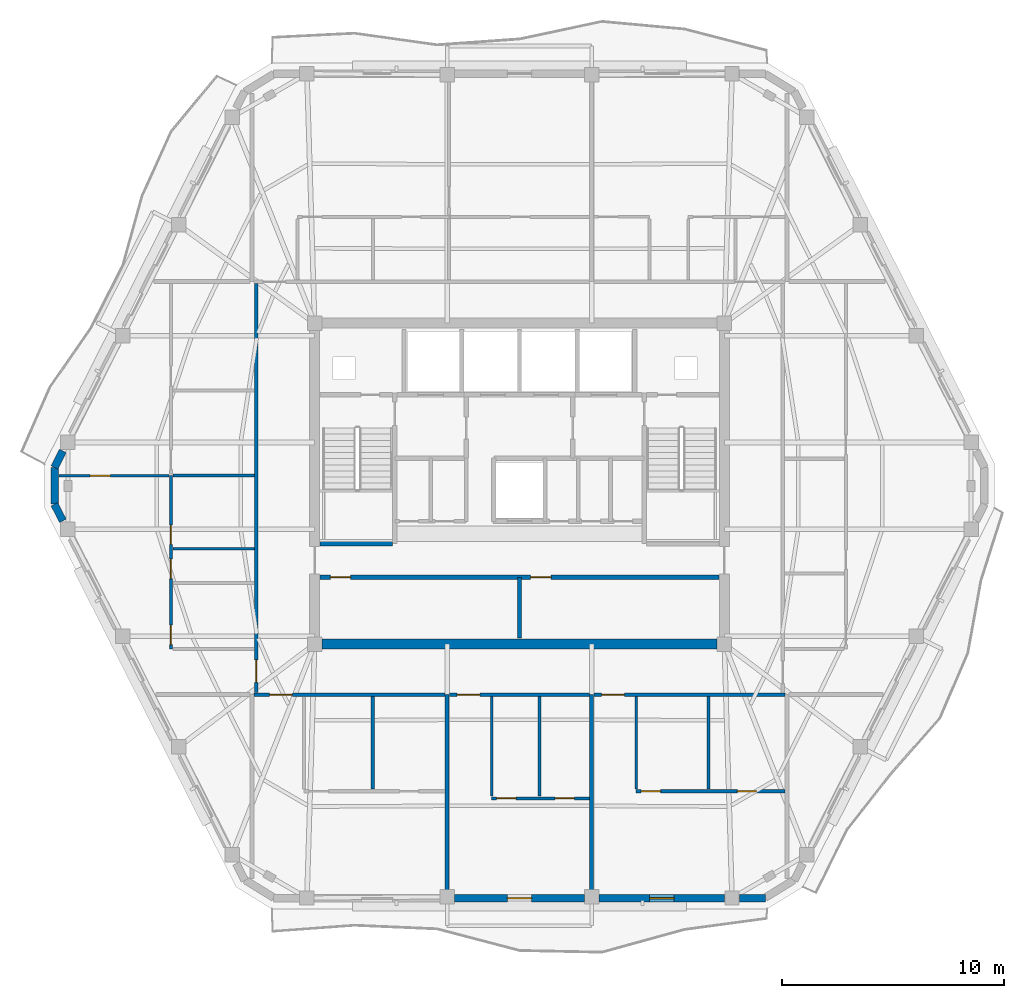
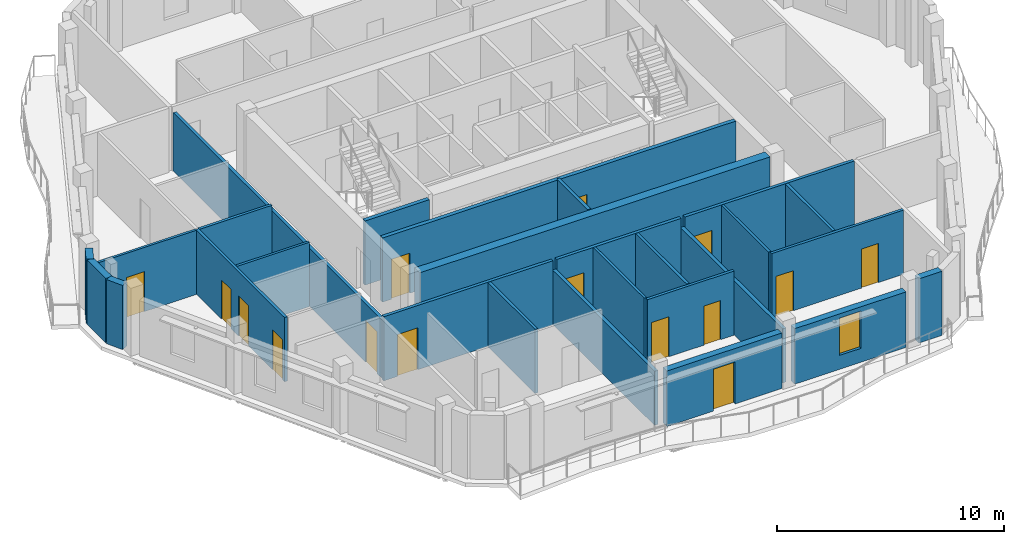
# One storey, part 4 of 12: 27 walls, 15 doors, 1 window, 16 openings.
"""IFC4 building model written with IfcOpenShell, lengths in metres."""

from ifc_helpers import new_model, si_unit, direction, frame, frame_2d, origin, place, context, subcontext, project, spatial, rectangle, extrude, material, layer, layer_set, type_object, element, fill, save


model = new_model("IFC4")

# Units and contexts
model_context = context("Model", 3, precision=1e-05, world=origin(), true_north=direction((0.0, 1.0)))
body_context = subcontext(model_context, "Body", "Model", "MODEL_VIEW")
ifc_project = project(units=[si_unit("LENGTHUNIT", "METRE"), si_unit("AREAUNIT", "SQUARE_METRE"), si_unit("VOLUMEUNIT", "CUBIC_METRE"), si_unit("PLANEANGLEUNIT", "RADIAN"), si_unit("MASSUNIT", "GRAM", prefix="KILO")], contexts=[model_context])

# Site, building, storey
site_placement = place(None, origin())
site = spatial("IfcSite", under=ifc_project, at=site_placement, CompositionType="ELEMENT")
building_placement = place(site_placement, origin())
building = spatial("IfcBuilding", under=site, at=building_placement, Name="Cinnabar Lancet Tower", CompositionType="ELEMENT")
storey_placement = place(building_placement, frame((0.0, 0.0, 270.800048828125)))
storey = spatial("IfcBuildingStorey", under=building, at=storey_placement, Name="L72", CompositionType="ELEMENT", Elevation=270.800048828125)

# Wall
ifc_material_1 = material(Name="Acoustic twin-stud gypsum partition", Category="gypsum")
ifc_layer_1 = layer(ifc_material_1, 0.159912109375)
ifc_layer_set_1 = layer_set([ifc_layer_1], Name="Acoustic twin-stud gypsum partition")
wall_type_1 = type_object("IfcWallType", Name="ARC-WL-CORR-160", PredefinedType="PARTITIONING", material=ifc_layer_set_1)
wall_1_placement = place(storey_placement, frame((32.39990234375, 18.949951171875, 0.0), z_axis=(0.0, 0.0, 1.0), x_axis=(0.0, 1.0, 0.0)))
element("IfcWall", 1, at=wall_1_placement, inside=storey, type_object=wall_type_1, Name="CW-SB-3240-L72", PredefinedType="PARTITIONING", context=body_context, shape_type="SweptSolid", body=[
    extrude(rectangle(XDim=2.72998046875, YDim=0.159912109375, at=frame_2d((1.364990234375, 0.0))), origin(), (0.0, 0.0, 1.0), 3.449951171875),
])

# Wall, opening, door
wall_2_placement = place(storey_placement, frame((20.445068359375, 16.39990234375, 0.0), z_axis=(0.0, 0.0, 1.0), x_axis=(1.0, 0.0, 0.0)))
wall_2 = element("IfcWall", 2, at=wall_2_placement, inside=storey, type_object=wall_type_1, Name="L72 Unit S01 Corridor Wall", PredefinedType="PARTITIONING", context=body_context, shape_type="SweptSolid", body=[
    extrude(rectangle(XDim=8.60595703125, YDim=0.159912109375, at=frame_2d((4.302978515625, 0.0))), origin(), (0.0, 0.0, 1.0), 3.449951171875),
])
opening_1_placement = place(wall_2_placement, frame((0.705078125, 0.0, 0.0)))
opening_1 = element("IfcOpeningElement", 3, at=opening_1_placement, cuts=wall_2, Name="Opening UD-01", PredefinedType="OPENING", context=body_context, shape_type="SweptSolid", body=[
    extrude(rectangle(XDim=1.02001953125, YDim=2.25, at=frame_2d((0.510009765625, 1.125))), frame((0.0, 0.08984375, 0.0), z_axis=(0.0, -1.0, 0.0), x_axis=(1.0, 0.0, 0.0)), (0.0, 0.0, 1.0), 0.179931640625),
])
ifc_material_2 = material(Name="Solid timber fire-rated apartment entrance door", Category="wood")
door_type_1 = type_object("IfcDoorType", Name="ARC-DR-UNIT", OperationType="NOTDEFINED", PredefinedType="DOOR", material=ifc_material_2)
door_1_placement = place(opening_1_placement, origin())
door_1 = element("IfcDoor", 4, at=door_1_placement, inside=storey, type_object=door_type_1, Name="DR-L72-S01-ENT", OperationType="SINGLE_SWING_RIGHT", OverallHeight=2.25, OverallWidth=1.02001953125, PredefinedType="DOOR", context=body_context, shape_type="SweptSolid", body=[
    extrude(rectangle(XDim=1.02001953125, YDim=2.25, at=frame_2d((0.510009765625, 1.125))), frame((0.0, 0.02490234375, 0.0), z_axis=(0.0, -1.0, 0.0), x_axis=(1.0, 0.0, 0.0)), (0.0, 0.0, 1.0), 0.050048828125),
])
fill(opening_1, door_1)

wall_3_placement = place(storey_placement, frame((29.240966796875, 16.39990234375, 0.0), z_axis=(0.0, 0.0, 1.0), x_axis=(1.0, 0.0, 0.0)))
wall_3 = element("IfcWall", 5, at=wall_3_placement, inside=storey, type_object=wall_type_1, Name="L72 Unit S02 Corridor Wall", PredefinedType="PARTITIONING", context=body_context, shape_type="SweptSolid", body=[
    extrude(rectangle(XDim=6.318115234375, YDim=0.159912109375, at=frame_2d((3.1591796875, 0.0))), origin(), (0.0, 0.0, 1.0), 3.449951171875),
])
opening_2_placement = place(wall_3_placement, frame((0.35498046875, 0.0, 0.0)))
opening_2 = element("IfcOpeningElement", 6, at=opening_2_placement, cuts=wall_3, Name="Opening UD-01", PredefinedType="OPENING", context=body_context, shape_type="SweptSolid", body=[
    extrude(rectangle(XDim=1.02001953125, YDim=2.25, at=frame_2d((0.510009765625, 1.125))), frame((0.0, 0.08984375, 0.0), z_axis=(0.0, -1.0, 0.0), x_axis=(1.0, 0.0, 0.0)), (0.0, 0.0, 1.0), 0.179931640625),
])
door_2_placement = place(opening_2_placement, origin())
door_2 = element("IfcDoor", 7, at=door_2_placement, inside=storey, type_object=door_type_1, Name="DR-L72-S02-ENT", OperationType="SINGLE_SWING_LEFT", OverallHeight=2.25, OverallWidth=1.02001953125, PredefinedType="DOOR", context=body_context, shape_type="SweptSolid", body=[
    extrude(rectangle(XDim=1.02001953125, YDim=2.25, at=frame_2d((0.510009765625, 1.125))), frame((0.0, 0.02490234375, 0.0), z_axis=(0.0, -1.0, 0.0), x_axis=(1.0, 0.0, 0.0)), (0.0, 0.0, 1.0), 0.050048828125),
])
fill(opening_2, door_2)

wall_4_placement = place(storey_placement, frame((35.7490234375, 16.39990234375, 0.0), z_axis=(0.0, 0.0, 1.0), x_axis=(1.0, 0.0, 0.0)))
wall_4 = element("IfcWall", 8, at=wall_4_placement, inside=storey, type_object=wall_type_1, Name="L72 Unit S03 Corridor Wall", PredefinedType="PARTITIONING", context=body_context, shape_type="SweptSolid", body=[
    extrude(rectangle(XDim=8.60595703125, YDim=0.159912109375, at=frame_2d((4.302978515625, 0.0))), origin(), (0.0, 0.0, 1.0), 3.449951171875),
])
opening_3_placement = place(wall_4_placement, frame((0.35498046875, 0.0, 0.0)))
opening_3 = element("IfcOpeningElement", 9, at=opening_3_placement, cuts=wall_4, Name="Opening UD-01", PredefinedType="OPENING", context=body_context, shape_type="SweptSolid", body=[
    extrude(rectangle(XDim=1.02001953125, YDim=2.25, at=frame_2d((0.510009765625, 1.125))), frame((0.0, 0.08984375, 0.0), z_axis=(0.0, -1.0, 0.0), x_axis=(1.0, 0.0, 0.0)), (0.0, 0.0, 1.0), 0.179931640625),
])
door_3_placement = place(opening_3_placement, origin())
door_3 = element("IfcDoor", 10, at=door_3_placement, inside=storey, type_object=door_type_1, Name="DR-L72-S03-ENT", OperationType="SINGLE_SWING_RIGHT", OverallHeight=2.25, OverallWidth=1.02001953125, PredefinedType="DOOR", context=body_context, shape_type="SweptSolid", body=[
    extrude(rectangle(XDim=1.02001953125, YDim=2.25, at=frame_2d((0.510009765625, 1.125))), frame((0.0, 0.02490234375, 0.0), z_axis=(0.0, -1.0, 0.0), x_axis=(1.0, 0.0, 0.0)), (0.0, 0.0, 1.0), 0.050048828125),
])
fill(opening_3, door_3)

wall_5_placement = place(storey_placement, frame((20.550048828125, 16.4951171875, 0.0), z_axis=(0.0, 0.0, 1.0), x_axis=(0.0, 1.0, 0.0)))
wall_5 = element("IfcWall", 11, at=wall_5_placement, inside=storey, type_object=wall_type_1, Name="UW-L72-W01-COR", PredefinedType="PARTITIONING", context=body_context, shape_type="SweptSolid", body=[
    extrude(rectangle(XDim=18.409912109375, YDim=0.159912109375, at=frame_2d((9.205078125, 0.0))), origin(), (0.0, 0.0, 1.0), 3.136962890625),
])
opening_4_placement = place(wall_5_placement, frame((0.449951171875, 0.0, 0.0)))
opening_4 = element("IfcOpeningElement", 12, at=opening_4_placement, cuts=wall_5, Name="Opening UD-01", PredefinedType="OPENING", context=body_context, shape_type="SweptSolid", body=[
    extrude(rectangle(XDim=1.02001953125, YDim=2.25, at=frame_2d((0.510009765625, 1.125))), frame((0.0, 0.08984375, 0.0), z_axis=(0.0, -1.0, 0.0), x_axis=(1.0, 0.0, 0.0)), (0.0, 0.0, 1.0), 0.179931640625),
])
door_4_placement = place(opening_4_placement, origin())
door_4 = element("IfcDoor", 13, at=door_4_placement, inside=storey, type_object=door_type_1, Name="DR-L72-W01-ENT", OperationType="SINGLE_SWING_RIGHT", OverallHeight=2.25, OverallWidth=1.02001953125, PredefinedType="DOOR", context=body_context, shape_type="SweptSolid", body=[
    extrude(rectangle(XDim=1.02001953125, YDim=2.25, at=frame_2d((0.510009765625, 1.125))), frame((0.0, 0.02490234375, 0.0), z_axis=(0.0, -1.0, 0.0), x_axis=(1.0, 0.0, 0.0)), (0.0, 0.0, 1.0), 0.050048828125),
])
fill(opening_4, door_4)

# Walls
ifc_material_3 = material(Name="Fire-rated twin-frame acoustic drywall", Category="gypsum")
ifc_layer_2 = layer(ifc_material_3, 0.179931640625)
ifc_layer_set_2 = layer_set([ifc_layer_2], Name="Fire-rated twin-frame acoustic drywall")
wall_type_2 = type_object("IfcWallType", Name="ARC-WL-PARTY-180", PredefinedType="PARTITIONING", material=ifc_layer_set_2)
for number, where, z_axis, x_axis, name in (
    (14, (29.14599609375, 7.405029296875, 0.0), (0.0, 0.0, 1.0), (0.0, 1.0, 0.0), "PW-L72-SPTY-291"),
    (15, (35.654052734375, 7.405029296875, 0.0), (0.0, 0.0, 1.0), (0.0, 1.0, 0.0), "PW-L72-SPTY-357"),
):
    element("IfcWall", number, at=place(storey_placement, frame(where, z_axis=z_axis, x_axis=x_axis)), inside=storey, type_object=wall_type_2, Name=name, PredefinedType="PARTITIONING", context=body_context, shape_type="SweptSolid", body=[
        extrude(rectangle(XDim=8.994873046875, YDim=0.179931640625, at=frame_2d((4.49755859375, 0.0))), origin(), (0.0, 0.0, 1.0), 2.906982421875),
    ])
ifc_material_4 = material(Name="Autoclaved aerated concrete blockwork", Category="masonry")
ifc_layer_3 = layer(ifc_material_4, 0.199951171875)
ifc_layer_set_3 = layer_set([ifc_layer_3], Name="Autoclaved aerated concrete blockwork")
wall_type_3 = type_object("IfcWallType", Name="ARC-WL-SHAFT-200", PredefinedType="PLUMBINGWALL", material=ifc_layer_set_3)
wall_6_placement = place(storey_placement, frame((23.405029296875, 23.199951171875, 0.0), z_axis=(0.0, 0.0, 1.0), x_axis=(1.0, 0.0, 0.0)))
element("IfcWall", 16, at=wall_6_placement, inside=storey, type_object=wall_type_3, Name="CW-ST1S-L72", PredefinedType="PLUMBINGWALL", context=body_context, shape_type="SweptSolid", body=[
    extrude(rectangle(XDim=3.27001953125, YDim=0.199951171875, at=frame_2d((1.635009765625, 0.0))), origin(), (0.0, 0.0, 1.0), 3.449951171875),
])

# Wall, openings, doors
wall_7_placement = place(storey_placement, frame((23.419921875, 21.679931640625, 0.0), z_axis=(0.0, 0.0, 1.0), x_axis=(1.0, 0.0, 0.0)))
wall_7 = element("IfcWall", 17, at=wall_7_placement, inside=storey, type_object=wall_type_3, Name="CW-SBANDN-L72", PredefinedType="PLUMBINGWALL", context=body_context, shape_type="SweptSolid", body=[
    extrude(rectangle(XDim=17.9599609375, YDim=0.199951171875, at=frame_2d((8.97998046875, 0.0))), origin(), (0.0, 0.0, 1.0), 3.449951171875),
])
opening_5_placement = place(wall_7_placement, frame((0.4599609375, 0.0, 0.0)))
opening_5 = element("IfcOpeningElement", 18, at=opening_5_placement, cuts=wall_7, Name="Opening RD-01", PredefinedType="OPENING", context=body_context, shape_type="SweptSolid", body=[
    extrude(rectangle(XDim=0.919921875, YDim=2.14990234375, at=frame_2d((0.4599609375, 1.074951171875))), frame((0.0, 0.10986328125, 0.0), z_axis=(0.0, -1.0, 0.0), x_axis=(1.0, 0.0, 0.0)), (0.0, 0.0, 1.0), 0.219970703125),
])
opening_6_placement = place(wall_7_placement, frame((9.47998046875, 0.0, 0.0)))
opening_6 = element("IfcOpeningElement", 19, at=opening_6_placement, cuts=wall_7, Name="Opening RD-01", PredefinedType="OPENING", context=body_context, shape_type="SweptSolid", body=[
    extrude(rectangle(XDim=0.919921875, YDim=2.14990234375, at=frame_2d((0.4599609375, 1.074951171875))), frame((0.0, 0.10986328125, 0.0), z_axis=(0.0, -1.0, 0.0), x_axis=(1.0, 0.0, 0.0)), (0.0, 0.0, 1.0), 0.219970703125),
])
ifc_material_5 = material(Name="Engineered timber bedroom door", Category="wood")
door_type_2 = type_object("IfcDoorType", Name="ARC-DR-ROOM", OperationType="NOTDEFINED", PredefinedType="DOOR", material=ifc_material_5)
door_5_placement = place(opening_5_placement, origin())
door_5 = element("IfcDoor", 20, at=door_5_placement, inside=storey, type_object=door_type_2, Name="DR-L72-HREC1", OperationType="SINGLE_SWING_LEFT", OverallHeight=2.14990234375, OverallWidth=0.919921875, PredefinedType="DOOR", context=body_context, shape_type="SweptSolid", body=[
    extrude(rectangle(XDim=0.919921875, YDim=2.14990234375, at=frame_2d((0.4599609375, 1.074951171875))), frame((0.0, 0.02490234375, 0.0), z_axis=(0.0, -1.0, 0.0), x_axis=(1.0, 0.0, 0.0)), (0.0, 0.0, 1.0), 0.050048828125),
])
fill(opening_5, door_5)
door_6_placement = place(opening_6_placement, origin())
door_6 = element("IfcDoor", 21, at=door_6_placement, inside=storey, type_object=door_type_2, Name="DR-L72-HREC2", OperationType="SINGLE_SWING_RIGHT", OverallHeight=2.14990234375, OverallWidth=0.919921875, PredefinedType="DOOR", context=body_context, shape_type="SweptSolid", body=[
    extrude(rectangle(XDim=0.919921875, YDim=2.14990234375, at=frame_2d((0.4599609375, 1.074951171875))), frame((0.0, 0.02490234375, 0.0), z_axis=(0.0, -1.0, 0.0), x_axis=(1.0, 0.0, 0.0)), (0.0, 0.0, 1.0), 0.050048828125),
])
fill(opening_6, door_6)

# Walls
ifc_material_6 = material(Name="Gypsum plasterboard stud partition", Category="gypsum")
ifc_layer_4 = layer(ifc_material_6, 0.125)
ifc_layer_set_4 = layer_set([ifc_layer_4], Name="Gypsum plasterboard stud partition")
wall_type_4 = type_object("IfcWallType", Name="ARC-WL-UNIT-125", PredefinedType="PARTITIONING", material=ifc_layer_set_4)
wall_8_placement = place(storey_placement, frame((31.14599609375, 11.827880859375, 0.0), z_axis=(0.0, 0.0, 1.0), x_axis=(0.0, 1.0, 0.0)))
element("IfcWall", 22, at=wall_8_placement, inside=storey, type_object=wall_type_4, Name="UW-L72-S02-FOYE", PredefinedType="PARTITIONING", context=body_context, shape_type="SweptSolid", body=[
    extrude(rectangle(XDim=4.487060546875, YDim=0.125, at=frame_2d((2.24365234375, 0.0))), origin(), (0.0, 0.0, 1.0), 3.449951171875),
])
wall_9_placement = place(storey_placement, frame((37.654052734375, 12.15087890625, 0.0), z_axis=(0.0, 0.0, 1.0), x_axis=(0.0, 1.0, 0.0)))
element("IfcWall", 23, at=wall_9_placement, inside=storey, type_object=wall_type_4, Name="UW-L72-S03-FOYE", PredefinedType="PARTITIONING", context=body_context, shape_type="SweptSolid", body=[
    extrude(rectangle(XDim=4.1640625, YDim=0.125, at=frame_2d((2.08203125, 0.0))), origin(), (0.0, 0.0, 1.0), 3.449951171875),
])

# Wall, opening, door
wall_10_placement = place(storey_placement, frame((11.659912109375, 26.258056640625, 0.0), z_axis=(0.0, 0.0, 1.0), x_axis=(1.0, 0.0, 0.0)))
wall_10 = element("IfcWall", 24, at=wall_10_placement, inside=storey, type_object=wall_type_4, Name="UW-L72-W01-MBN", PredefinedType="PARTITIONING", context=body_context, shape_type="SweptSolid", body=[
    extrude(rectangle(XDim=4.965087890625, YDim=0.125, at=frame_2d((2.482421875, 0.0))), origin(), (0.0, 0.0, 1.0), 3.449951171875),
])
opening_7_placement = place(wall_10_placement, frame((1.39990234375, 0.0, 0.0)))
opening_7 = element("IfcOpeningElement", 25, at=opening_7_placement, cuts=wall_10, Name="Opening RD-01", PredefinedType="OPENING", context=body_context, shape_type="SweptSolid", body=[
    extrude(rectangle(XDim=0.919921875, YDim=2.14990234375, at=frame_2d((0.4599609375, 1.074951171875))), frame((0.0, 0.072509765625, 0.0), z_axis=(0.0, -1.0, 0.0), x_axis=(1.0, 0.0, 0.0)), (0.0, 0.0, 1.0), 0.14501953125),
])
door_7_placement = place(opening_7_placement, origin())
door_7 = element("IfcDoor", 26, at=door_7_placement, inside=storey, type_object=door_type_2, Name="DR-L72-W01-MBD", OperationType="SINGLE_SWING_RIGHT", OverallHeight=2.14990234375, OverallWidth=0.919921875, PredefinedType="DOOR", context=body_context, shape_type="SweptSolid", body=[
    extrude(rectangle(XDim=0.919921875, YDim=2.14990234375, at=frame_2d((0.4599609375, 1.074951171875))), frame((0.0, 0.02490234375, 0.0), z_axis=(0.0, -1.0, 0.0), x_axis=(1.0, 0.0, 0.0)), (0.0, 0.0, 1.0), 0.050048828125),
])
fill(opening_7, door_7)

# Walls
wall_11_placement = place(storey_placement, frame((16.784912109375, 22.967041015625, 0.0), z_axis=(0.0, 0.0, 1.0), x_axis=(1.0, 0.0, 0.0)))
element("IfcWall", 27, at=wall_11_placement, inside=storey, type_object=wall_type_4, Name="UW-L72-W01-UDV", PredefinedType="PARTITIONING", context=body_context, shape_type="SweptSolid", body=[
    extrude(rectangle(XDim=3.68017578125, YDim=0.125, at=frame_2d((1.840087890625, 0.0))), origin(), (0.0, 0.0, 1.0), 3.449951171875),
])
ifc_material_7 = material(Name="Moisture-resistant cement-board plumbing wall", Category="masonry")
ifc_layer_5 = layer(ifc_material_7, 0.139892578125)
ifc_layer_set_5 = layer_set([ifc_layer_5], Name="Moisture-resistant cement-board plumbing wall")
wall_type_5 = type_object("IfcWallType", Name="ARC-WL-WET-140", PredefinedType="PLUMBINGWALL", material=ifc_layer_set_5)
wall_12_placement = place(storey_placement, frame((25.7939453125, 12.15087890625, 0.0), z_axis=(0.0, 0.0, 1.0), x_axis=(0.0, 1.0, 0.0)))
element("IfcWall", 28, at=wall_12_placement, inside=storey, type_object=wall_type_5, Name="UW-L72-S01-KDV", PredefinedType="PLUMBINGWALL", context=body_context, shape_type="SweptSolid", body=[
    extrude(rectangle(XDim=4.1640625, YDim=0.139892578125, at=frame_2d((2.08203125, 0.0))), origin(), (0.0, 0.0, 1.0), 3.449951171875),
])

# Wall, openings, doors
wall_13_placement = place(storey_placement, frame((31.14599609375, 11.722900390625, 0.0), z_axis=(0.0, 0.0, 1.0), x_axis=(1.0, 0.0, 0.0)))
wall_13 = element("IfcWall", 29, at=wall_13_placement, inside=storey, type_object=wall_type_5, Name="UW-L72-S02-SPL", PredefinedType="PLUMBINGWALL", context=body_context, shape_type="SweptSolid", body=[
    extrude(rectangle(XDim=4.4130859375, YDim=0.139892578125, at=frame_2d((2.20654296875, 0.0))), origin(), (0.0, 0.0, 1.0), 3.449951171875),
])
opening_8_placement = place(wall_13_placement, frame((2.864013671875, 0.0, 0.0)))
opening_8 = element("IfcOpeningElement", 30, at=opening_8_placement, cuts=wall_13, Name="Opening BD-01", PredefinedType="OPENING", context=body_context, shape_type="SweptSolid", body=[
    extrude(rectangle(XDim=0.860107421875, YDim=2.10009765625, at=frame_2d((0.43017578125, 1.050048828125))), frame((0.0, 0.079833984375, 0.0), z_axis=(0.0, -1.0, 0.0), x_axis=(1.0, 0.0, 0.0)), (0.0, 0.0, 1.0), 0.159912109375),
])
opening_9_placement = place(wall_13_placement, frame((0.219970703125, 0.0, 0.0)))
opening_9 = element("IfcOpeningElement", 31, at=opening_9_placement, cuts=wall_13, Name="Opening RD-02", PredefinedType="OPENING", context=body_context, shape_type="SweptSolid", body=[
    extrude(rectangle(XDim=0.8798828125, YDim=2.14990234375, at=frame_2d((0.43994140625, 1.074951171875))), frame((0.0, 0.079833984375, 0.0), z_axis=(0.0, -1.0, 0.0), x_axis=(1.0, 0.0, 0.0)), (0.0, 0.0, 1.0), 0.159912109375),
])
ifc_material_8 = material(Name="Moisture-resistant timber bathroom door", Category="wood")
door_type_3 = type_object("IfcDoorType", Name="ARC-DR-BATH", OperationType="NOTDEFINED", PredefinedType="DOOR", material=ifc_material_8)
door_8_placement = place(opening_8_placement, origin())
door_8 = element("IfcDoor", 32, at=door_8_placement, inside=storey, type_object=door_type_3, Name="DR-L72-S02-BTH", OperationType="SINGLE_SWING_LEFT", OverallHeight=2.10009765625, OverallWidth=0.860107421875, PredefinedType="DOOR", context=body_context, shape_type="SweptSolid", body=[
    extrude(rectangle(XDim=0.860107421875, YDim=2.10009765625, at=frame_2d((0.43017578125, 1.050048828125))), frame((0.0, 0.02490234375, 0.0), z_axis=(0.0, -1.0, 0.0), x_axis=(1.0, 0.0, 0.0)), (0.0, 0.0, 1.0), 0.050048828125),
])
fill(opening_8, door_8)
ifc_material_9 = material(Name="Engineered timber study door", Category="wood")
door_type_4 = type_object("IfcDoorType", Name="ARC-DR-STUDY", OperationType="NOTDEFINED", PredefinedType="DOOR", material=ifc_material_9)
door_9_placement = place(opening_9_placement, origin())
door_9 = element("IfcDoor", 33, at=door_9_placement, inside=storey, type_object=door_type_4, Name="DR-L72-S02-KIT", OperationType="SINGLE_SWING_RIGHT", OverallHeight=2.14990234375, OverallWidth=0.8798828125, PredefinedType="DOOR", context=body_context, shape_type="SweptSolid", body=[
    extrude(rectangle(XDim=0.8798828125, YDim=2.14990234375, at=frame_2d((0.43994140625, 1.074951171875))), frame((0.0, 0.02490234375, 0.0), z_axis=(0.0, -1.0, 0.0), x_axis=(1.0, 0.0, 0.0)), (0.0, 0.0, 1.0), 0.050048828125),
])
fill(opening_9, door_9)

# Wall
wall_14_placement = place(storey_placement, frame((33.31005859375, 11.827880859375, 0.0), z_axis=(0.0, 0.0, 1.0), x_axis=(0.0, 1.0, 0.0)))
element("IfcWall", 34, at=wall_14_placement, inside=storey, type_object=wall_type_5, Name="UW-L72-S02-KDV", PredefinedType="PLUMBINGWALL", context=body_context, shape_type="SweptSolid", body=[
    extrude(rectangle(XDim=4.487060546875, YDim=0.139892578125, at=frame_2d((2.24365234375, 0.0))), origin(), (0.0, 0.0, 1.0), 3.449951171875),
])

# Wall, openings, doors
wall_15_placement = place(storey_placement, frame((37.654052734375, 12.0458984375, 0.0), z_axis=(0.0, 0.0, 1.0), x_axis=(1.0, 0.0, 0.0)))
wall_15 = element("IfcWall", 35, at=wall_15_placement, inside=storey, type_object=wall_type_5, Name="UW-L72-S03-SPL", PredefinedType="PLUMBINGWALL", context=body_context, shape_type="SweptSolid", body=[
    extrude(rectangle(XDim=6.700927734375, YDim=0.139892578125, at=frame_2d((3.3505859375, 0.0))), origin(), (0.0, 0.0, 1.0), 3.449951171875),
])
opening_10_placement = place(wall_15_placement, frame((4.555908203125, 0.0, 0.0)))
opening_10 = element("IfcOpeningElement", 36, at=opening_10_placement, cuts=wall_15, Name="Opening BD-01", PredefinedType="OPENING", context=body_context, shape_type="SweptSolid", body=[
    extrude(rectangle(XDim=0.860107421875, YDim=2.10009765625, at=frame_2d((0.43017578125, 1.050048828125))), frame((0.0, 0.079833984375, 0.0), z_axis=(0.0, -1.0, 0.0), x_axis=(1.0, 0.0, 0.0)), (0.0, 0.0, 1.0), 0.159912109375),
])
opening_11_placement = place(wall_15_placement, frame((0.219970703125, 0.0, 0.0)))
opening_11 = element("IfcOpeningElement", 37, at=opening_11_placement, cuts=wall_15, Name="Opening RD-02", PredefinedType="OPENING", context=body_context, shape_type="SweptSolid", body=[
    extrude(rectangle(XDim=0.8798828125, YDim=2.14990234375, at=frame_2d((0.43994140625, 1.074951171875))), frame((0.0, 0.079833984375, 0.0), z_axis=(0.0, -1.0, 0.0), x_axis=(1.0, 0.0, 0.0)), (0.0, 0.0, 1.0), 0.159912109375),
])
door_10_placement = place(opening_10_placement, origin())
door_10 = element("IfcDoor", 38, at=door_10_placement, inside=storey, type_object=door_type_3, Name="DR-L72-S03-BTH", OperationType="SINGLE_SWING_RIGHT", OverallHeight=2.10009765625, OverallWidth=0.860107421875, PredefinedType="DOOR", context=body_context, shape_type="SweptSolid", body=[
    extrude(rectangle(XDim=0.860107421875, YDim=2.10009765625, at=frame_2d((0.43017578125, 1.050048828125))), frame((0.0, 0.02490234375, 0.0), z_axis=(0.0, -1.0, 0.0), x_axis=(1.0, 0.0, 0.0)), (0.0, 0.0, 1.0), 0.050048828125),
])
fill(opening_10, door_10)
door_11_placement = place(opening_11_placement, origin())
door_11 = element("IfcDoor", 39, at=door_11_placement, inside=storey, type_object=door_type_4, Name="DR-L72-S03-KIT", OperationType="SINGLE_SWING_LEFT", OverallHeight=2.14990234375, OverallWidth=0.8798828125, PredefinedType="DOOR", context=body_context, shape_type="SweptSolid", body=[
    extrude(rectangle(XDim=0.8798828125, YDim=2.14990234375, at=frame_2d((0.43994140625, 1.074951171875))), frame((0.0, 0.02490234375, 0.0), z_axis=(0.0, -1.0, 0.0), x_axis=(1.0, 0.0, 0.0)), (0.0, 0.0, 1.0), 0.050048828125),
])
fill(opening_11, door_11)

# Wall
wall_16_placement = place(storey_placement, frame((40.916015625, 12.15087890625, 0.0), z_axis=(0.0, 0.0, 1.0), x_axis=(0.0, 1.0, 0.0)))
element("IfcWall", 40, at=wall_16_placement, inside=storey, type_object=wall_type_5, Name="UW-L72-S03-KDV", PredefinedType="PLUMBINGWALL", context=body_context, shape_type="SweptSolid", body=[
    extrude(rectangle(XDim=4.1640625, YDim=0.139892578125, at=frame_2d((2.08203125, 0.0))), origin(), (0.0, 0.0, 1.0), 3.449951171875),
])

# Wall, openings, doors
wall_17_placement = place(storey_placement, frame((16.699951171875, 18.449951171875, 0.0), z_axis=(0.0, 0.0, 1.0), x_axis=(0.0, 1.0, 0.0)))
wall_17 = element("IfcWall", 41, at=wall_17_placement, inside=storey, type_object=wall_type_5, Name="UW-L72-W01-SPL", PredefinedType="PLUMBINGWALL", context=body_context, shape_type="SweptSolid", body=[
    extrude(rectangle(XDim=7.80810546875, YDim=0.139892578125, at=frame_2d((3.904052734375, 0.0))), origin(), (0.0, 0.0, 1.0), 3.449951171875),
])
opening_12_placement = place(wall_17_placement, frame((0.199951171875, 0.0, 0.0)))
opening_12 = element("IfcOpeningElement", 42, at=opening_12_placement, cuts=wall_17, Name="Opening RD-02", PredefinedType="OPENING", context=body_context, shape_type="SweptSolid", body=[
    extrude(rectangle(XDim=0.8798828125, YDim=2.14990234375, at=frame_2d((0.43994140625, 1.074951171875))), frame((0.0, 0.079833984375, 0.0), z_axis=(0.0, -1.0, 0.0), x_axis=(1.0, 0.0, 0.0)), (0.0, 0.0, 1.0), 0.159912109375),
])
opening_13_placement = place(wall_17_placement, frame((3.1669921875, 0.0, 0.0)))
opening_13 = element("IfcOpeningElement", 43, at=opening_13_placement, cuts=wall_17, Name="Opening RD-02", PredefinedType="OPENING", context=body_context, shape_type="SweptSolid", body=[
    extrude(rectangle(XDim=0.8798828125, YDim=2.14990234375, at=frame_2d((0.43994140625, 1.074951171875))), frame((0.0, 0.079833984375, 0.0), z_axis=(0.0, -1.0, 0.0), x_axis=(1.0, 0.0, 0.0)), (0.0, 0.0, 1.0), 0.159912109375),
])
opening_14_placement = place(wall_17_placement, frame((4.717041015625, 0.0, 0.0)))
opening_14 = element("IfcOpeningElement", 44, at=opening_14_placement, cuts=wall_17, Name="Opening BD-01", PredefinedType="OPENING", context=body_context, shape_type="SweptSolid", body=[
    extrude(rectangle(XDim=0.860107421875, YDim=2.10009765625, at=frame_2d((0.43017578125, 1.050048828125))), frame((0.0, 0.079833984375, 0.0), z_axis=(0.0, -1.0, 0.0), x_axis=(1.0, 0.0, 0.0)), (0.0, 0.0, 1.0), 0.159912109375),
])
door_12_placement = place(opening_14_placement, origin())
door_12 = element("IfcDoor", 45, at=door_12_placement, inside=storey, type_object=door_type_3, Name="DR-L72-W01-BTH", OperationType="SINGLE_SWING_LEFT", OverallHeight=2.10009765625, OverallWidth=0.860107421875, PredefinedType="DOOR", context=body_context, shape_type="SweptSolid", body=[
    extrude(rectangle(XDim=0.860107421875, YDim=2.10009765625, at=frame_2d((0.43017578125, 1.050048828125))), frame((0.0, 0.02490234375, 0.0), z_axis=(0.0, -1.0, 0.0), x_axis=(1.0, 0.0, 0.0)), (0.0, 0.0, 1.0), 0.050048828125),
])
fill(opening_14, door_12)
door_13_placement = place(opening_12_placement, origin())
door_13 = element("IfcDoor", 46, at=door_13_placement, inside=storey, type_object=door_type_4, Name="DR-L72-W01-KIT", OperationType="SINGLE_SWING_LEFT", OverallHeight=2.14990234375, OverallWidth=0.8798828125, PredefinedType="DOOR", context=body_context, shape_type="SweptSolid", body=[
    extrude(rectangle(XDim=0.8798828125, YDim=2.14990234375, at=frame_2d((0.43994140625, 1.074951171875))), frame((0.0, 0.02490234375, 0.0), z_axis=(0.0, -1.0, 0.0), x_axis=(1.0, 0.0, 0.0)), (0.0, 0.0, 1.0), 0.050048828125),
])
fill(opening_12, door_13)
door_14_placement = place(opening_13_placement, origin())
door_14 = element("IfcDoor", 47, at=door_14_placement, inside=storey, type_object=door_type_4, Name="DR-L72-W01-UTL", OperationType="SINGLE_SWING_RIGHT", OverallHeight=2.14990234375, OverallWidth=0.8798828125, PredefinedType="DOOR", context=body_context, shape_type="SweptSolid", body=[
    extrude(rectangle(XDim=0.8798828125, YDim=2.14990234375, at=frame_2d((0.43994140625, 1.074951171875))), frame((0.0, 0.02490234375, 0.0), z_axis=(0.0, -1.0, 0.0), x_axis=(1.0, 0.0, 0.0)), (0.0, 0.0, 1.0), 0.050048828125),
])
fill(opening_13, door_14)

# Walls
wall_18_placement = place(storey_placement, frame((16.784912109375, 26.258056640625, 0.0), z_axis=(0.0, 0.0, 1.0), x_axis=(1.0, 0.0, 0.0)))
element("IfcWall", 48, at=wall_18_placement, inside=storey, type_object=wall_type_5, Name="UW-L72-W01-ENSN", PredefinedType="PLUMBINGWALL", context=body_context, shape_type="SweptSolid", body=[
    extrude(rectangle(XDim=3.68017578125, YDim=0.139892578125, at=frame_2d((1.840087890625, 0.0))), origin(), (0.0, 0.0, 1.0), 3.449951171875),
])
ifc_material_10 = material(Name="Cinnabar red clay brick", Category="masonry")
ifc_layer_6 = layer(ifc_material_10, 0.340087890625)
ifc_layer_set_6 = layer_set([ifc_layer_6], Name="Cinnabar red clay brick")
wall_type_6 = type_object("IfcWallType", Name="ENV-WL-BRK-RED-340", PredefinedType="STANDARD", material=ifc_layer_set_6)
wall_19_placement = place(storey_placement, frame((11.47705078125, 26.6201171875, 0.0), z_axis=(0.0, 0.0, 1.0), x_axis=(0.0, -1.0, 0.0)))
element("IfcWall", 49, at=wall_19_placement, inside=storey, type_object=wall_type_6, Name="L72 Chamfered Corner Brick Pier 6.1", PredefinedType="STANDARD", context=body_context, shape_type="SweptSolid", body=[
    extrude(rectangle(XDim=1.64013671875, YDim=0.340087890625, at=frame_2d((0.820068359375, 0.0))), origin(), (0.0, 0.0, 1.0), 3.449951171875),
])

# Wall, opening, door
wall_20_placement = place(storey_placement, frame((29.47509765625, 7.22998046875, 0.0), z_axis=(0.0, 0.0, 1.0), x_axis=(1.0, 0.0, 0.0)))
wall_20 = element("IfcWall", 50, at=wall_20_placement, inside=storey, type_object=wall_type_6, Name="L72 Face 1 Masonry Bay Wall 3", PredefinedType="STANDARD", context=body_context, shape_type="SweptSolid", body=[
    extrude(rectangle(XDim=5.849853515625, YDim=0.340087890625, at=frame_2d((2.9248046875, 0.0))), origin(), (0.0, 0.0, 1.0), 2.98291015625),
])
opening_15_placement = place(wall_20_placement, frame((2.375, 0.0, 0.0)))
opening_15 = element("IfcOpeningElement", 51, at=opening_15_placement, cuts=wall_20, Name="Opening TD-01", PredefinedType="OPENING", context=body_context, shape_type="SweptSolid", body=[
    extrude(rectangle(XDim=1.10009765625, YDim=2.25, at=frame_2d((0.550048828125, 1.125))), frame((0.0, 0.179931640625, 0.0), z_axis=(0.0, -1.0, 0.0), x_axis=(1.0, 0.0, 0.0)), (0.0, 0.0, 1.0), 0.360107421875),
])
ifc_material_11 = material(Name="Thermally broken low-E glazed balcony terrace door", Category="wood")
door_type_5 = type_object("IfcDoorType", Name="ARC-DR-BALC", OperationType="NOTDEFINED", PredefinedType="DOOR", material=ifc_material_11)
door_15_placement = place(opening_15_placement, origin())
door_15 = element("IfcDoor", 52, at=door_15_placement, inside=storey, type_object=door_type_5, Name="L72 Face 1 Glazed Terrace Door", OperationType="SINGLE_SWING_LEFT", OverallHeight=2.25, OverallWidth=1.10009765625, PredefinedType="DOOR", context=body_context, shape_type="SweptSolid", body=[
    extrude(rectangle(XDim=1.10009765625, YDim=2.25, at=frame_2d((0.550048828125, 1.125))), frame((0.0, 0.02490234375, 0.0), z_axis=(0.0, -1.0, 0.0), x_axis=(1.0, 0.0, 0.0)), (0.0, 0.0, 1.0), 0.050048828125),
])
fill(opening_15, door_15)

# Wall, opening, window
wall_21_placement = place(storey_placement, frame((35.98291015625, 7.22998046875, 0.0), z_axis=(0.0, 0.0, 1.0), x_axis=(1.0, 0.0, 0.0)))
wall_21 = element("IfcWall", 53, at=wall_21_placement, inside=storey, type_object=wall_type_6, Name="L72 Face 1 Masonry Bay Wall 4", PredefinedType="STANDARD", context=body_context, shape_type="SweptSolid", body=[
    extrude(rectangle(XDim=5.66015625, YDim=0.340087890625, at=frame_2d((2.830078125, 0.0))), origin(), (0.0, 0.0, 1.0), 2.98291015625),
])
opening_16_placement = place(wall_21_placement, frame((2.280029296875, 0.0, 0.75)))
opening_16 = element("IfcOpeningElement", 54, at=opening_16_placement, cuts=wall_21, Name="Opening WN-04", PredefinedType="OPENING", context=body_context, shape_type="SweptSolid", body=[
    extrude(rectangle(XDim=1.10009765625, YDim=2.0, at=frame_2d((0.550048828125, 1.0))), frame((0.0, 0.179931640625, 0.0), z_axis=(0.0, -1.0, 0.0), x_axis=(1.0, 0.0, 0.0)), (0.0, 0.0, 1.0), 0.360107421875),
])
ifc_material_12 = material(Name="Thermally broken bronze-anodized aluminium tall lancet window", Category="aluminium")
window_type = type_object("IfcWindowType", Name="ENV-WN-LANCET-1100", PartitioningType="SINGLE_PANEL", PredefinedType="WINDOW", material=ifc_material_12)
window_placement = place(opening_16_placement, origin())
window = element("IfcWindow", 55, at=window_placement, inside=storey, type_object=window_type, Name="L72 Face 1 Gothic Lancet Window 4", OverallHeight=2.0, OverallWidth=1.10009765625, PartitioningType="SINGLE_PANEL", PredefinedType="WINDOW", context=body_context, shape_type="SweptSolid", body=[
    extrude(rectangle(XDim=1.10009765625, YDim=2.0, at=frame_2d((0.550048828125, 1.0))), frame((0.0, 0.030029296875, 0.0), z_axis=(0.0, -1.0, 0.0), x_axis=(1.0, 0.0, 0.0)), (0.0, 0.0, 1.0), 0.06005859375),
])
fill(opening_16, window)

# Walls
wall_22_placement = place(storey_placement, frame((42.301025390625, 7.22998046875, 0.0), z_axis=(0.0, 0.0, 1.0), x_axis=(1.0, 0.0, 0.0)))
element("IfcWall", 56, at=wall_22_placement, inside=storey, type_object=wall_type_6, Name="L72 Face 1 Masonry Bay Wall 5", PredefinedType="STANDARD", context=body_context, shape_type="SweptSolid", body=[
    extrude(rectangle(XDim=1.173095703125, YDim=0.340087890625, at=frame_2d((0.58642578125, 0.0))), origin(), (0.0, 0.0, 1.0), 3.449951171875),
])
wall_23_placement = place(storey_placement, frame((11.8349609375, 27.3759765625, 0.0), z_axis=(0.0, 0.0, 1.0), x_axis=(-0.45139691133, -0.892323275748, 0.0)))
element("IfcWall", 57, at=wall_23_placement, inside=storey, type_object=wall_type_6, Name="L72 Face 5 Masonry Bay Wall 5", PredefinedType="STANDARD", context=body_context, shape_type="SweptSolid", body=[
    extrude(rectangle(XDim=0.83935546875, YDim=0.340087890625, at=frame_2d((0.419677734375, 0.0))), origin(), (0.0, 0.0, 1.0), 3.449951171875),
])
wall_24_placement = place(storey_placement, frame((11.4560546875, 24.972900390625, 0.0), z_axis=(0.0, 0.0, 1.0), x_axis=(0.4515140893, -0.892263989615, 0.0)))
element("IfcWall", 58, at=wall_24_placement, inside=storey, type_object=wall_type_6, Name="L72 Face 6 Masonry Bay Wall 1", PredefinedType="STANDARD", context=body_context, shape_type="SweptSolid", body=[
    extrude(rectangle(XDim=0.839111328125, YDim=0.340087890625, at=frame_2d((0.41943359375, 0.0))), origin(), (0.0, 0.0, 1.0), 3.449951171875),
])
ifc_material_13 = material(Name="Concrete C50/60", Category="concrete")
ifc_layer_7 = layer(ifc_material_13, 0.449951171875)
ifc_layer_set_7 = layer_set([ifc_layer_7], Name="Concrete C50/60")
wall_type_7 = type_object("IfcWallType", Name="STR-WL-CORE-450", PredefinedType="SHEAR", material=ifc_layer_set_7)
wall_25_placement = place(storey_placement, frame((23.5, 18.675048828125, 0.0), z_axis=(0.0, 0.0, 1.0), x_axis=(1.0, 0.0, 0.0)))
element("IfcWall", 59, at=wall_25_placement, inside=storey, type_object=wall_type_7, Name="L72 Core Shear Wall S", PredefinedType="SHEAR", context=body_context, shape_type="SweptSolid", body=[
    extrude(rectangle(XDim=17.800048828125, YDim=0.449951171875, at=frame_2d((8.89990234375, 0.0))), origin(), (0.0, 0.0, 1.0), 3.449951171875),
])

save(model, "model.ifc")
